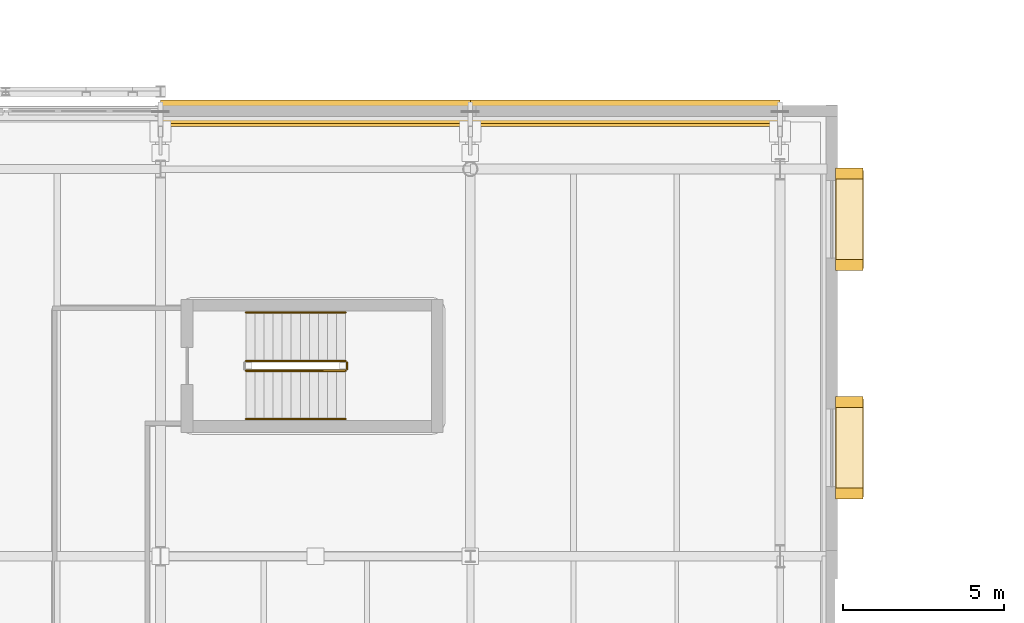
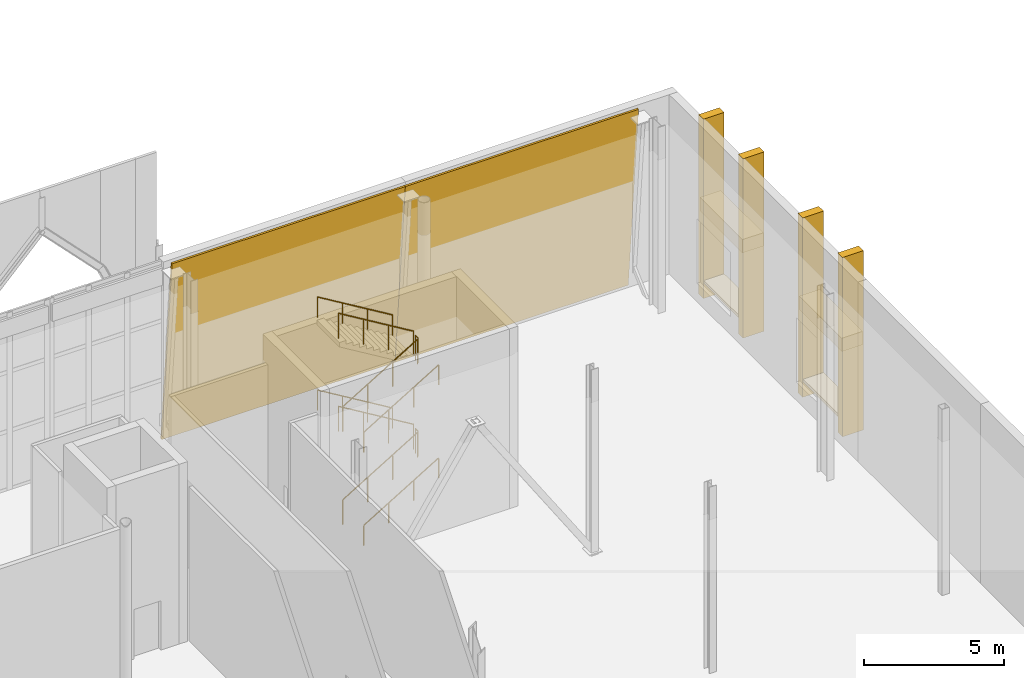
# One storey, part 76 of 79: 10 coverings, 10 railings.
"""IFC4 building model written with IfcOpenShell, lengths in metres."""

from ifc_helpers import new_model, si_unit, direction, frame, origin, origin_2d, place, context, subcontext, project, spatial, polyline, rectangle, circle, outline, extrude, material, layer, layer_set, type_object, element, save


model = new_model("IFC4")

# Units and contexts
model_context = context("Model", 3, precision=1e-05, world=origin(), true_north=direction((0.0, 1.0)))
body_context = subcontext(model_context, "Body", "Model", "MODEL_VIEW")
ifc_project = project(units=[si_unit("LENGTHUNIT", "METRE"), si_unit("AREAUNIT", "SQUARE_METRE"), si_unit("VOLUMEUNIT", "CUBIC_METRE"), si_unit("PLANEANGLEUNIT", "RADIAN"), si_unit("MASSUNIT", "GRAM", prefix="KILO")], contexts=[model_context])

# Site, building, storey
site_placement = place(None, origin())
site = spatial("IfcSite", under=ifc_project, at=site_placement, CompositionType="ELEMENT")
building_placement = place(site_placement, origin())
building = spatial("IfcBuilding", under=site, at=building_placement, Name="Zereglee Splitstone Museum", CompositionType="ELEMENT")
storey_placement = place(building_placement, frame((0.0, 0.0, 9.0)))
storey = spatial("IfcBuildingStorey", under=building, at=storey_placement, Name="L02", CompositionType="ELEMENT", Elevation=9.0)

# Coverings
ifc_material_1 = material(Name="Honed Gobi pale limestone stringcourse and soffit cladding", Category="masonry")
ifc_layer_1 = layer(ifc_material_1, 0.070068359375)
ifc_layer_set_1 = layer_set([ifc_layer_1], Name="Honed Gobi pale limestone stringcourse and soffit cladding")
covering_type_1 = type_object("IfcCoveringType", Name="CL-02", PredefinedType="CLADDING", material=ifc_layer_set_1)
for number, where, z_axis, x_axis, name in (
    (1, (147.344970703125, 40.340087890625, 0.0), (0.0, 0.0, 1.0), (0.0, 1.0, 0.0), "Mughal Window Reveal Stone Pilaster L02-0103L"),
    (2, (147.344970703125, 43.179931640625, 0.0), (0.0, 0.0, 1.0), (0.0, 1.0, 0.0), "Mughal Window Reveal Stone Pilaster L02-0103R"),
):
    element("IfcCovering", number, at=place(storey_placement, frame(where, z_axis=z_axis, x_axis=x_axis)), inside=storey, type_object=covering_type_1, Name=name, PredefinedType="CLADDING", context=body_context, shape_type="SweptSolid", body=[
        extrude(rectangle(XDim=0.340087890625, YDim=0.860107421875, at=origin_2d()), origin(), (0.0, 0.0, 1.0), 7.800048828125),
    ])
covering_1_placement = place(storey_placement, frame((147.35498046875, 41.760009765625, 0.659912109375), z_axis=(0.0, 0.0, 1.0), x_axis=(0.0, 1.0, 0.0)))
element("IfcCovering", 3, at=covering_1_placement, inside=storey, type_object=covering_type_1, Name="Carved Limestone Window Sill L02-0103", PredefinedType="CLADDING", context=body_context, shape_type="SweptSolid", body=[
    extrude(rectangle(XDim=3.0400390625, YDim=0.840087890625, at=origin_2d()), origin(), (0.0, 0.0, 1.0), 0.1201171875),
])
for number, where, z_axis, x_axis, name in (
    (4, (147.344970703125, 47.419921875, 0.0), (0.0, 0.0, 1.0), (0.0, 1.0, 0.0), "Mughal Window Reveal Stone Pilaster L02-0104L"),
    (5, (147.344970703125, 50.260009765625, 0.0), (0.0, 0.0, 1.0), (0.0, 1.0, 0.0), "Mughal Window Reveal Stone Pilaster L02-0104R"),
):
    element("IfcCovering", number, at=place(storey_placement, frame(where, z_axis=z_axis, x_axis=x_axis)), inside=storey, type_object=covering_type_1, Name=name, PredefinedType="CLADDING", context=body_context, shape_type="SweptSolid", body=[
        extrude(rectangle(XDim=0.340087890625, YDim=0.860107421875, at=origin_2d()), origin(), (0.0, 0.0, 1.0), 7.800048828125),
    ])
covering_2_placement = place(storey_placement, frame((147.35498046875, 48.840087890625, 0.659912109375), z_axis=(0.0, 0.0, 1.0), x_axis=(0.0, 1.0, 0.0)))
element("IfcCovering", 6, at=covering_2_placement, inside=storey, type_object=covering_type_1, Name="Carved Limestone Window Sill L02-0104", PredefinedType="CLADDING", context=body_context, shape_type="SweptSolid", body=[
    extrude(rectangle(XDim=3.0400390625, YDim=0.840087890625, at=origin_2d()), origin(), (0.0, 0.0, 1.0), 0.1201171875),
])
ifc_material_2 = material(Name="Honed Khoroo red sandstone ventilated rainscreen", Category="masonry")
ifc_layer_2 = layer(ifc_material_2, 0.080078125)
ifc_layer_set_2 = layer_set([ifc_layer_2], Name="Honed Khoroo red sandstone ventilated rainscreen")
covering_type_2 = type_object("IfcCoveringType", Name="CL-01", PredefinedType="CLADDING", material=ifc_layer_set_2)
for number, where, z_axis, x_axis, name in (
    (7, (147.35498046875, 41.760009765625, 3.659912109375), (0.0, 0.0, 1.0), (0.0, 1.0, 0.0), "Pointed-Arch Mughal Window Hood L02-0103"),
    (8, (147.35498046875, 48.840087890625, 3.659912109375), (0.0, 0.0, 1.0), (0.0, 1.0, 0.0), "Pointed-Arch Mughal Window Hood L02-0104"),
):
    element("IfcCovering", number, at=place(storey_placement, frame(where, z_axis=z_axis, x_axis=x_axis)), inside=storey, type_object=covering_type_2, Name=name, PredefinedType="CLADDING", context=body_context, shape_type="SweptSolid", body=[
        extrude(rectangle(XDim=3.0400390625, YDim=0.860107421875, at=origin_2d()), origin(), (0.0, 0.0, 1.0), 0.580078125),
    ])
covering_3_placement = place(storey_placement, frame((126.0, 51.806396484375, 7.85009765625), z_axis=(0.0, 0.995861160371, 0.090887563856), x_axis=(1.0, 0.0, 0.0)))
element("IfcCovering", 9, at=covering_3_placement, inside=storey, type_object=covering_type_2, Name="Split-Rock Continuous Inclined Facet FH-V2NE L02.1", PredefinedType="CLADDING", context=body_context, shape_type="SweptSolid", body=[
    extrude(outline(polyline([(0.0, 0.0), (9.60009765625, 0.0), (9.60009765625, 8.133761992714629), (0.0, 8.133761992714629), (0.0, 0.0)])), origin(), (0.0, 0.0, -1.0), 0.080078125),
])
covering_4_placement = place(storey_placement, frame((135.60009765625, 51.806396484375, 7.85009765625), z_axis=(0.0, 0.995861160371, 0.090887563856), x_axis=(1.0, 0.0, 0.0)))
element("IfcCovering", 10, at=covering_4_placement, inside=storey, type_object=covering_type_2, Name="Split-Rock Continuous Inclined Facet FH-V2NE L02.2", PredefinedType="CLADDING", context=body_context, shape_type="SweptSolid", body=[
    extrude(outline(polyline([(0.0, 0.0), (9.599853515625, 0.0), (9.599853515625, 8.133761992714629), (0.0, 8.133761992714629), (0.0, 0.0)])), origin(), (0.0, 0.0, -1.0), 0.080078125),
])

# Railings
ifc_material_3 = material(Name="Painted steel S355J2 post-and-baluster guard", Category="steel")
railing_type_1 = type_object("IfcRailingType", Name="GR-03", PredefinedType="BALUSTRADE", material=ifc_material_3)
railing_1_placement = place(storey_placement, frame((128.64990234375, 44.14990234375, 0.168701171875)))
element("IfcRailing", 11, at=railing_1_placement, inside=storey, type_object=railing_type_1, Name="L02 ST-03 stair guard 1", PredefinedType="BALUSTRADE", context=body_context, shape_type="SweptSolid", body=[
    extrude(circle(Radius=0.02392578125, at=origin_2d()), frame((0.0, 0.0, 1.076416015625), z_axis=(0.856490936558, 0.0, 0.516162063304), x_axis=(0.0, 1.0, 0.0)), (0.0, 0.0, 1.0), 3.59619140625),
    extrude(circle(Radius=0.02099609375, at=origin_2d()), origin(), (0.0, 0.0, 1.0), 1.052001953125),
    extrude(circle(Radius=0.02099609375, at=origin_2d()), frame((1.026611328125, 0.0, 0.61865234375)), (0.0, 0.0, 1.0), 1.052001953125),
    extrude(circle(Radius=0.02099609375, at=origin_2d()), frame((2.053466796875, 0.0, 1.237548828125)), (0.0, 0.0, 1.0), 1.052001953125),
    extrude(circle(Radius=0.02099609375, at=origin_2d()), frame((3.080078125, 0.0, 1.856201171875)), (0.0, 0.0, 1.0), 1.052001953125),
])
railing_2_placement = place(storey_placement, frame((131.780029296875, 44.199951171875, 2.02490234375)))
element("IfcRailing", 12, at=railing_2_placement, inside=storey, type_object=railing_type_1, Name="L02 ST-03 stair guard 2", PredefinedType="BALUSTRADE", context=body_context, shape_type="SweptSolid", body=[
    extrude(circle(Radius=0.02392578125, at=origin_2d()), frame((0.0, 0.0, 1.076416015625), z_axis=(0.0, 1.0, 0.0), x_axis=(-1.0, 0.0, 0.0)), (0.0, 0.0, 1.0), 0.199951171875),
    extrude(circle(Radius=0.02099609375, at=origin_2d()), origin(), (0.0, 0.0, 1.0), 1.052001953125),
    extrude(circle(Radius=0.02099609375, at=origin_2d()), frame((0.0, 0.199951171875, 0.0)), (0.0, 0.0, 1.0), 1.052001953125),
])
railing_3_placement = place(storey_placement, frame((131.72998046875, 44.449951171875, 2.19384765625)))
element("IfcRailing", 13, at=railing_3_placement, inside=storey, type_object=railing_type_1, Name="L02 ST-03 stair guard 3", PredefinedType="BALUSTRADE", context=body_context, shape_type="SweptSolid", body=[
    extrude(circle(Radius=0.02392578125, at=origin_2d()), frame((0.0, 0.0, 1.076416015625), z_axis=(-0.856490936558, 0.0, 0.516162063304), x_axis=(0.0, -1.0, 0.0)), (0.0, 0.0, 1.0), 3.59619140625),
    extrude(circle(Radius=0.02099609375, at=origin_2d()), origin(), (0.0, 0.0, 1.0), 1.052001953125),
    extrude(circle(Radius=0.02099609375, at=origin_2d()), frame((-1.026611328125, 0.0, 0.61865234375)), (0.0, 0.0, 1.0), 1.052001953125),
    extrude(circle(Radius=0.02099609375, at=origin_2d()), frame((-2.053466796875, 0.0, 1.237548828125)), (0.0, 0.0, 1.0), 1.052001953125),
    extrude(circle(Radius=0.02099609375, at=origin_2d()), frame((-3.080078125, 0.0, 1.856201171875)), (0.0, 0.0, 1.0), 1.052001953125),
])
railing_4_placement = place(storey_placement, frame((128.64990234375, 44.14990234375, 4.21875)))
element("IfcRailing", 14, at=railing_4_placement, inside=storey, type_object=railing_type_1, Name="L02 ST-03 stair guard 5", PredefinedType="BALUSTRADE", context=body_context, shape_type="SweptSolid", body=[
    extrude(circle(Radius=0.02392578125, at=origin_2d()), frame((0.0, 0.0, 1.076416015625), z_axis=(0.856490936558, 0.0, 0.516162063304), x_axis=(0.0, 1.0, 0.0)), (0.0, 0.0, 1.0), 3.59619140625),
    extrude(circle(Radius=0.02099609375, at=origin_2d()), origin(), (0.0, 0.0, 1.0), 1.052001953125),
    extrude(circle(Radius=0.02099609375, at=origin_2d()), frame((1.026611328125, 0.0, 0.61865234375)), (0.0, 0.0, 1.0), 1.052001953125),
    extrude(circle(Radius=0.02099609375, at=origin_2d()), frame((2.053466796875, 0.0, 1.237548828125)), (0.0, 0.0, 1.0), 1.052001953125),
    extrude(circle(Radius=0.02099609375, at=origin_2d()), frame((3.080078125, 0.0, 1.856201171875)), (0.0, 0.0, 1.0), 1.052001953125),
])
railing_5_placement = place(storey_placement, frame((131.780029296875, 44.199951171875, 6.074951171875)))
element("IfcRailing", 15, at=railing_5_placement, inside=storey, type_object=railing_type_1, Name="L02 ST-03 stair guard 6", PredefinedType="BALUSTRADE", context=body_context, shape_type="SweptSolid", body=[
    extrude(circle(Radius=0.02392578125, at=origin_2d()), frame((0.0, 0.0, 1.076416015625), z_axis=(0.0, 1.0, 0.0), x_axis=(-1.0, 0.0, 0.0)), (0.0, 0.0, 1.0), 0.199951171875),
    extrude(circle(Radius=0.02099609375, at=origin_2d()), origin(), (0.0, 0.0, 1.0), 1.052001953125),
    extrude(circle(Radius=0.02099609375, at=origin_2d()), frame((0.0, 0.199951171875, 0.0)), (0.0, 0.0, 1.0), 1.052001953125),
])
railing_6_placement = place(storey_placement, frame((131.72998046875, 44.449951171875, 6.24365234375)))
element("IfcRailing", 16, at=railing_6_placement, inside=storey, type_object=railing_type_1, Name="L02 ST-03 stair guard 7", PredefinedType="BALUSTRADE", context=body_context, shape_type="SweptSolid", body=[
    extrude(circle(Radius=0.02392578125, at=origin_2d()), frame((0.0, 0.0, 1.076416015625), z_axis=(-0.856460923124, 0.0, 0.51621186267), x_axis=(0.0, -1.0, 0.0)), (0.0, 0.0, 1.0), 3.59619140625),
    extrude(circle(Radius=0.02099609375, at=origin_2d()), origin(), (0.0, 0.0, 1.0), 1.052001953125),
    extrude(circle(Radius=0.02099609375, at=origin_2d()), frame((-1.026611328125, 0.0, 0.618896484375)), (0.0, 0.0, 1.0), 1.052001953125),
    extrude(circle(Radius=0.02099609375, at=origin_2d()), frame((-2.053466796875, 0.0, 1.237548828125)), (0.0, 0.0, 1.0), 1.052001953125),
    extrude(circle(Radius=0.02099609375, at=origin_2d()), frame((-3.080078125, 0.0, 1.8564453125)), (0.0, 0.0, 1.0), 1.052001953125),
])
ifc_material_4 = material(Name="Architectural bronze tubular handrail", Category="steel")
railing_type_2 = type_object("IfcRailingType", Name="HR-01", PredefinedType="HANDRAIL", material=ifc_material_4)
railing_7_placement = place(storey_placement, frame((128.64990234375, 42.64990234375, 0.168701171875)))
element("IfcRailing", 17, at=railing_7_placement, inside=storey, type_object=railing_type_2, Name="L02 ST-03 stair handrail 1", PredefinedType="HANDRAIL", context=body_context, shape_type="SweptSolid", body=[
    extrude(circle(Radius=0.02392578125, at=origin_2d()), frame((0.0, 0.0, 0.8759765625), z_axis=(0.856490936558, 0.0, 0.516162063304), x_axis=(0.0, 1.0, 0.0)), (0.0, 0.0, 1.0), 3.59619140625),
    extrude(circle(Radius=0.02099609375, at=origin_2d()), origin(), (0.0, 0.0, 1.0), 0.851806640625),
    extrude(circle(Radius=0.02099609375, at=origin_2d()), frame((1.026611328125, 0.0, 0.61865234375)), (0.0, 0.0, 1.0), 0.851806640625),
    extrude(circle(Radius=0.02099609375, at=origin_2d()), frame((2.053466796875, 0.0, 1.237548828125)), (0.0, 0.0, 1.0), 0.851806640625),
    extrude(circle(Radius=0.02099609375, at=origin_2d()), frame((3.080078125, 0.0, 1.856201171875)), (0.0, 0.0, 1.0), 0.851806640625),
])
railing_8_placement = place(storey_placement, frame((131.72998046875, 45.949951171875, 2.19384765625)))
element("IfcRailing", 18, at=railing_8_placement, inside=storey, type_object=railing_type_2, Name="L02 ST-03 stair handrail 2", PredefinedType="HANDRAIL", context=body_context, shape_type="SweptSolid", body=[
    extrude(circle(Radius=0.02392578125, at=origin_2d()), frame((0.0, 0.0, 0.8759765625), z_axis=(-0.856490936558, 0.0, 0.516162063304), x_axis=(0.0, -1.0, 0.0)), (0.0, 0.0, 1.0), 3.59619140625),
    extrude(circle(Radius=0.02099609375, at=origin_2d()), origin(), (0.0, 0.0, 1.0), 0.851806640625),
    extrude(circle(Radius=0.02099609375, at=origin_2d()), frame((-1.026611328125, 0.0, 0.61865234375)), (0.0, 0.0, 1.0), 0.851806640625),
    extrude(circle(Radius=0.02099609375, at=origin_2d()), frame((-2.053466796875, 0.0, 1.237548828125)), (0.0, 0.0, 1.0), 0.851806640625),
    extrude(circle(Radius=0.02099609375, at=origin_2d()), frame((-3.080078125, 0.0, 1.856201171875)), (0.0, 0.0, 1.0), 0.851806640625),
])
railing_9_placement = place(storey_placement, frame((128.64990234375, 42.64990234375, 4.21875)))
element("IfcRailing", 19, at=railing_9_placement, inside=storey, type_object=railing_type_2, Name="L02 ST-03 stair handrail 3", PredefinedType="HANDRAIL", context=body_context, shape_type="SweptSolid", body=[
    extrude(circle(Radius=0.02392578125, at=origin_2d()), frame((0.0, 0.0, 0.8759765625), z_axis=(0.856490936558, 0.0, 0.516162063304), x_axis=(0.0, 1.0, 0.0)), (0.0, 0.0, 1.0), 3.59619140625),
    extrude(circle(Radius=0.02099609375, at=origin_2d()), origin(), (0.0, 0.0, 1.0), 0.851806640625),
    extrude(circle(Radius=0.02099609375, at=origin_2d()), frame((1.026611328125, 0.0, 0.61865234375)), (0.0, 0.0, 1.0), 0.851806640625),
    extrude(circle(Radius=0.02099609375, at=origin_2d()), frame((2.053466796875, 0.0, 1.237548828125)), (0.0, 0.0, 1.0), 0.851806640625),
    extrude(circle(Radius=0.02099609375, at=origin_2d()), frame((3.080078125, 0.0, 1.856201171875)), (0.0, 0.0, 1.0), 0.851806640625),
])
railing_10_placement = place(storey_placement, frame((131.72998046875, 45.949951171875, 6.24365234375)))
element("IfcRailing", 20, at=railing_10_placement, inside=storey, type_object=railing_type_2, Name="L02 ST-03 stair handrail 4", PredefinedType="HANDRAIL", context=body_context, shape_type="SweptSolid", body=[
    extrude(circle(Radius=0.02392578125, at=origin_2d()), frame((0.0, 0.0, 0.8759765625), z_axis=(-0.856460923124, 0.0, 0.51621186267), x_axis=(0.0, -1.0, 0.0)), (0.0, 0.0, 1.0), 3.59619140625),
    extrude(circle(Radius=0.02099609375, at=origin_2d()), origin(), (0.0, 0.0, 1.0), 0.851806640625),
    extrude(circle(Radius=0.02099609375, at=origin_2d()), frame((-1.026611328125, 0.0, 0.618896484375)), (0.0, 0.0, 1.0), 0.851806640625),
    extrude(circle(Radius=0.02099609375, at=origin_2d()), frame((-2.053466796875, 0.0, 1.237548828125)), (0.0, 0.0, 1.0), 0.851806640625),
    extrude(circle(Radius=0.02099609375, at=origin_2d()), frame((-3.080078125, 0.0, 1.8564453125)), (0.0, 0.0, 1.0), 0.851806640625),
])

save(model, "model.ifc")
